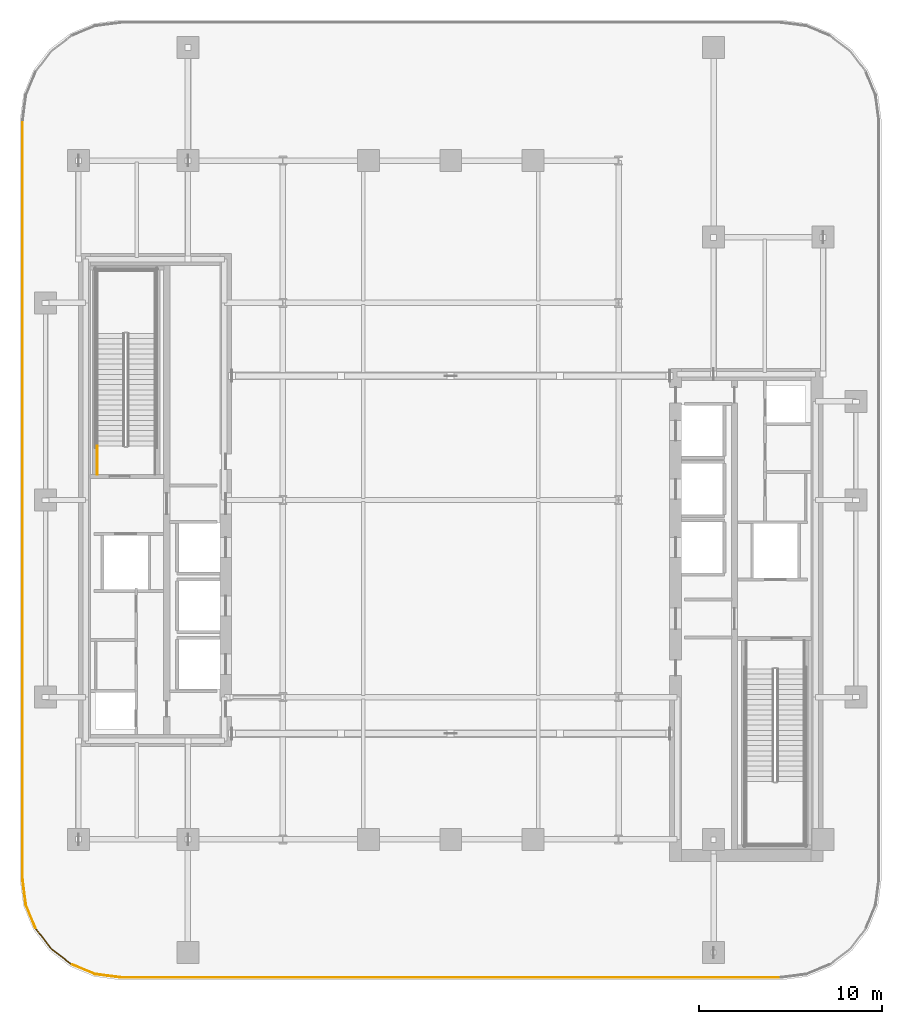
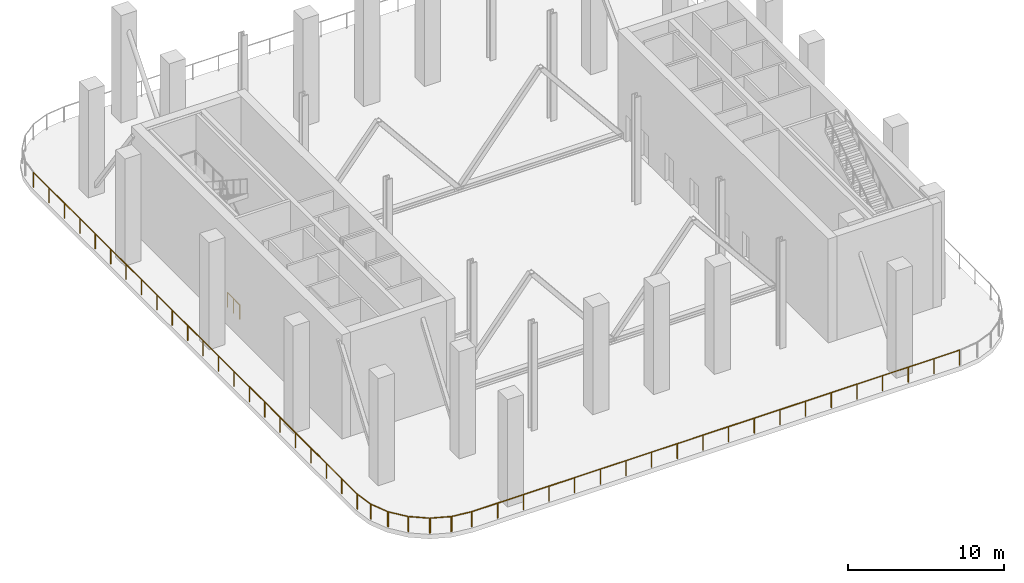
# One storey, part 8 of 13: 9 railings.
"""IFC4 building model written with IfcOpenShell, lengths in metres."""

from ifc_helpers import new_model, si_unit, direction, frame, origin, origin_2d, place, context, subcontext, project, spatial, circle, extrude, material, type_object, element, save


model = new_model("IFC4")

# Units and contexts
model_context = context("Model", 3, precision=1e-05, world=origin(), true_north=direction((0.0, 1.0)))
body_context = subcontext(model_context, "Body", "Model", "MODEL_VIEW")
ifc_project = project(units=[si_unit("LENGTHUNIT", "METRE"), si_unit("AREAUNIT", "SQUARE_METRE"), si_unit("VOLUMEUNIT", "CUBIC_METRE"), si_unit("PLANEANGLEUNIT", "RADIAN"), si_unit("MASSUNIT", "GRAM", prefix="KILO")], contexts=[model_context])

# Site, building, storey
site_placement = place(None, origin())
site = spatial("IfcSite", under=ifc_project, at=site_placement, CompositionType="ELEMENT")
building_placement = place(site_placement, origin())
building = spatial("IfcBuilding", under=site, at=building_placement, Name="Khairoan Windgate Tower", CompositionType="ELEMENT")
storey_placement = place(building_placement, frame((0.0, 0.0, 152.0)))
storey = spatial("IfcBuildingStorey", under=building, at=storey_placement, Name="L35", CompositionType="ELEMENT", Elevation=152.0)

# Railings
ifc_material_1 = material(Name="Anodised Bronze Aluminium 6063-T6", Category="aluminium")
railing_type_1 = type_object("IfcRailingType", Name="Aerodynamic Bronze-and-Glass Balustrade BAL-1200", PredefinedType="BALUSTRADE", material=ifc_material_1)
railing_1_placement = place(storey_placement, frame((18.06591796875, -26.159912109375, 0.0)))
element("IfcRailing", 1, at=railing_1_placement, inside=storey, type_object=railing_type_1, Name="L35 Wind-Slot Portal Perimeter Balustrade 01", PredefinedType="BALUSTRADE", context=body_context, shape_type="SweptSolid", body=[
    extrude(circle(Radius=0.02392578125, at=origin_2d()), frame((0.0, 0.0, 1.17578125), z_axis=(-1.0, 0.0, 0.0), x_axis=(0.0, -1.0, 0.0)), (0.0, 0.0, 1.0), 36.1318359375),
    extrude(circle(Radius=0.02099609375, at=origin_2d()), origin(), (0.0, 0.0, 1.0), 1.15185546875),
    extrude(circle(Radius=0.02099609375, at=origin_2d()), frame((-1.901611328125, 0.0, 0.0)), (0.0, 0.0, 1.0), 1.15185546875),
    extrude(circle(Radius=0.02099609375, at=origin_2d()), frame((-3.803466796875, 0.0, 0.0)), (0.0, 0.0, 1.0), 1.15185546875),
    extrude(circle(Radius=0.02099609375, at=origin_2d()), frame((-5.705078125, 0.0, 0.0)), (0.0, 0.0, 1.0), 1.15185546875),
    extrude(circle(Radius=0.02099609375, at=origin_2d()), frame((-7.606689453125, 0.0, 0.0)), (0.0, 0.0, 1.0), 1.15185546875),
    extrude(circle(Radius=0.02099609375, at=origin_2d()), frame((-9.50830078125, 0.0, 0.0)), (0.0, 0.0, 1.0), 1.15185546875),
    extrude(circle(Radius=0.02099609375, at=origin_2d()), frame((-11.41015625, 0.0, 0.0)), (0.0, 0.0, 1.0), 1.15185546875),
    extrude(circle(Radius=0.02099609375, at=origin_2d()), frame((-13.311767578125, 0.0, 0.0)), (0.0, 0.0, 1.0), 1.15185546875),
    extrude(circle(Radius=0.02099609375, at=origin_2d()), frame((-15.21337890625, 0.0, 0.0)), (0.0, 0.0, 1.0), 1.15185546875),
    extrude(circle(Radius=0.02099609375, at=origin_2d()), frame((-17.114990234375, 0.0, 0.0)), (0.0, 0.0, 1.0), 1.15185546875),
    extrude(circle(Radius=0.02099609375, at=origin_2d()), frame((-19.016845703125, 0.0, 0.0)), (0.0, 0.0, 1.0), 1.15185546875),
    extrude(circle(Radius=0.02099609375, at=origin_2d()), frame((-20.91845703125, 0.0, 0.0)), (0.0, 0.0, 1.0), 1.15185546875),
    extrude(circle(Radius=0.02099609375, at=origin_2d()), frame((-22.820068359375, 0.0, 0.0)), (0.0, 0.0, 1.0), 1.15185546875),
    extrude(circle(Radius=0.02099609375, at=origin_2d()), frame((-24.7216796875, 0.0, 0.0)), (0.0, 0.0, 1.0), 1.15185546875),
    extrude(circle(Radius=0.02099609375, at=origin_2d()), frame((-26.62353515625, 0.0, 0.0)), (0.0, 0.0, 1.0), 1.15185546875),
    extrude(circle(Radius=0.02099609375, at=origin_2d()), frame((-28.525146484375, 0.0, 0.0)), (0.0, 0.0, 1.0), 1.15185546875),
    extrude(circle(Radius=0.02099609375, at=origin_2d()), frame((-30.4267578125, 0.0, 0.0)), (0.0, 0.0, 1.0), 1.15185546875),
    extrude(circle(Radius=0.02099609375, at=origin_2d()), frame((-32.328369140625, 0.0, 0.0)), (0.0, 0.0, 1.0), 1.15185546875),
    extrude(circle(Radius=0.02099609375, at=origin_2d()), frame((-34.230224609375, 0.0, 0.0)), (0.0, 0.0, 1.0), 1.15185546875),
    extrude(circle(Radius=0.02099609375, at=origin_2d()), frame((-36.1318359375, 0.0, 0.0)), (0.0, 0.0, 1.0), 1.15185546875),
])
railing_2_placement = place(storey_placement, frame((-18.115478515625, -26.15673828125, 0.0)))
element("IfcRailing", 2, at=railing_2_placement, inside=storey, type_object=railing_type_1, Name="L35 Wind-Slot Portal Perimeter Balustrade 02", PredefinedType="BALUSTRADE", context=body_context, shape_type="SweptSolid", body=[
    extrude(circle(Radius=0.02392578125, at=origin_2d()), frame((0.0, 0.0, 1.17578125), z_axis=(-0.991449400613, 0.130491708638, 0.0), x_axis=(-0.130491708638, -0.991449400613, 0.0)), (0.0, 0.0, 1.0), 1.3583984375),
    extrude(circle(Radius=0.02099609375, at=origin_2d()), origin(), (0.0, 0.0, 1.0), 1.15185546875),
    extrude(circle(Radius=0.02099609375, at=origin_2d()), frame((-1.3466796875, 0.17724609375, 0.0)), (0.0, 0.0, 1.0), 1.15185546875),
])
railing_3_placement = place(storey_placement, frame((-19.510009765625, -25.966552734375, 0.0)))
element("IfcRailing", 3, at=railing_3_placement, inside=storey, type_object=railing_type_1, Name="L35 Wind-Slot Portal Perimeter Balustrade 03", PredefinedType="BALUSTRADE", context=body_context, shape_type="SweptSolid", body=[
    extrude(circle(Radius=0.02392578125, at=origin_2d()), frame((0.0, 0.0, 1.17578125), z_axis=(-0.923915376249, 0.382596886462, 0.0), x_axis=(-0.382596886462, -0.923915376249, 0.0)), (0.0, 0.0, 1.0), 1.348876953125),
    extrude(circle(Radius=0.02099609375, at=origin_2d()), origin(), (0.0, 0.0, 1.0), 1.15185546875),
    extrude(circle(Radius=0.02099609375, at=origin_2d()), frame((-1.246337890625, 0.51611328125, 0.0)), (0.0, 0.0, 1.0), 1.15185546875),
])
railing_4_placement = place(storey_placement, frame((-20.79931640625, -25.425537109375, 0.0)))
element("IfcRailing", 4, at=railing_4_placement, inside=storey, type_object=railing_type_1, Name="L35 Wind-Slot Portal Perimeter Balustrade 04", PredefinedType="BALUSTRADE", context=body_context, shape_type="SweptSolid", body=[
    extrude(circle(Radius=0.02392578125, at=origin_2d()), frame((0.0, 0.0, 1.17578125), z_axis=(-0.793370316216, 0.608739304914, 0.0), x_axis=(-0.608739304914, -0.793370316216, 0.0)), (0.0, 0.0, 1.0), 1.348876953125),
    extrude(circle(Radius=0.02099609375, at=origin_2d()), origin(), (0.0, 0.0, 1.0), 1.15185546875),
    extrude(circle(Radius=0.02099609375, at=origin_2d()), frame((-1.070068359375, 0.821044921875, 0.0)), (0.0, 0.0, 1.0), 1.15185546875),
])
railing_5_placement = place(storey_placement, frame((-21.904541015625, -24.569580078125, 0.0)))
element("IfcRailing", 5, at=railing_5_placement, inside=storey, type_object=railing_type_1, Name="L35 Wind-Slot Portal Perimeter Balustrade 05", PredefinedType="BALUSTRADE", context=body_context, shape_type="SweptSolid", body=[
    extrude(circle(Radius=0.02392578125, at=origin_2d()), frame((0.0, 0.0, 1.17578125), z_axis=(-0.608651893578, 0.793437377771, 0.0), x_axis=(-0.793437377771, -0.608651893578, 0.0)), (0.0, 0.0, 1.0), 1.348876953125),
    extrude(circle(Radius=0.02099609375, at=origin_2d()), origin(), (0.0, 0.0, 1.0), 1.15185546875),
    extrude(circle(Radius=0.02099609375, at=origin_2d()), frame((-0.821044921875, 1.0703125, 0.0)), (0.0, 0.0, 1.0), 1.15185546875),
])
railing_6_placement = place(storey_placement, frame((-22.75048828125, -23.456298828125, 0.0)))
element("IfcRailing", 6, at=railing_6_placement, inside=storey, type_object=railing_type_1, Name="L35 Wind-Slot Portal Perimeter Balustrade 06", PredefinedType="BALUSTRADE", context=body_context, shape_type="SweptSolid", body=[
    extrude(circle(Radius=0.02392578125, at=origin_2d()), frame((0.0, 0.0, 1.17578125), z_axis=(-0.382660871212, 0.923888877324, 0.0), x_axis=(-0.923888877324, -0.382660871212, 0.0)), (0.0, 0.0, 1.0), 1.3486328125),
    extrude(circle(Radius=0.02099609375, at=origin_2d()), origin(), (0.0, 0.0, 1.0), 1.15185546875),
    extrude(circle(Radius=0.02099609375, at=origin_2d()), frame((-0.51611328125, 1.24609375, 0.0)), (0.0, 0.0, 1.0), 1.15185546875),
])
railing_7_placement = place(storey_placement, frame((-23.279541015625, -22.162109375, 0.0)))
element("IfcRailing", 7, at=railing_7_placement, inside=storey, type_object=railing_type_1, Name="L35 Wind-Slot Portal Perimeter Balustrade 07", PredefinedType="BALUSTRADE", context=body_context, shape_type="SweptSolid", body=[
    extrude(circle(Radius=0.02392578125, at=origin_2d()), frame((0.0, 0.0, 1.17578125), z_axis=(-0.130514966859, 0.991446339156, 0.0), x_axis=(-0.991446339156, -0.130514966859, 0.0)), (0.0, 0.0, 1.0), 1.358154296875),
    extrude(circle(Radius=0.02099609375, at=origin_2d()), origin(), (0.0, 0.0, 1.0), 1.15185546875),
    extrude(circle(Radius=0.02099609375, at=origin_2d()), frame((-0.17724609375, 1.346435546875, 0.0)), (0.0, 0.0, 1.0), 1.15185546875),
])
railing_8_placement = place(storey_placement, frame((-23.4599609375, -20.765869140625, 0.0)))
element("IfcRailing", 8, at=railing_8_placement, inside=storey, type_object=railing_type_1, Name="L35 Wind-Slot Portal Perimeter Balustrade 08", PredefinedType="BALUSTRADE", context=body_context, shape_type="SweptSolid", body=[
    extrude(circle(Radius=0.02392578125, at=origin_2d()), frame((0.0, 0.0, 1.17578125), z_axis=(0.0, 1.0, 0.0), x_axis=(-1.0, 0.0, 0.0)), (0.0, 0.0, 1.0), 41.53173828125),
    extrude(circle(Radius=0.02099609375, at=origin_2d()), origin(), (0.0, 0.0, 1.0), 1.15185546875),
    extrude(circle(Radius=0.02099609375, at=origin_2d()), frame((0.0, 1.977783203125, 0.0)), (0.0, 0.0, 1.0), 1.15185546875),
    extrude(circle(Radius=0.02099609375, at=origin_2d()), frame((0.0, 3.955322265625, 0.0)), (0.0, 0.0, 1.0), 1.15185546875),
    extrude(circle(Radius=0.02099609375, at=origin_2d()), frame((0.0, 5.93310546875, 0.0)), (0.0, 0.0, 1.0), 1.15185546875),
    extrude(circle(Radius=0.02099609375, at=origin_2d()), frame((0.0, 7.910888671875, 0.0)), (0.0, 0.0, 1.0), 1.15185546875),
    extrude(circle(Radius=0.02099609375, at=origin_2d()), frame((0.0, 9.888427734375, 0.0)), (0.0, 0.0, 1.0), 1.15185546875),
    extrude(circle(Radius=0.02099609375, at=origin_2d()), frame((0.0, 11.8662109375, 0.0)), (0.0, 0.0, 1.0), 1.15185546875),
    extrude(circle(Radius=0.02099609375, at=origin_2d()), frame((0.0, 13.843994140625, 0.0)), (0.0, 0.0, 1.0), 1.15185546875),
    extrude(circle(Radius=0.02099609375, at=origin_2d()), frame((0.0, 15.821533203125, 0.0)), (0.0, 0.0, 1.0), 1.15185546875),
    extrude(circle(Radius=0.02099609375, at=origin_2d()), frame((0.0, 17.79931640625, 0.0)), (0.0, 0.0, 1.0), 1.15185546875),
    extrude(circle(Radius=0.02099609375, at=origin_2d()), frame((0.0, 19.777099609375, 0.0)), (0.0, 0.0, 1.0), 1.15185546875),
    extrude(circle(Radius=0.02099609375, at=origin_2d()), frame((0.0, 21.754638671875, 0.0)), (0.0, 0.0, 1.0), 1.15185546875),
    extrude(circle(Radius=0.02099609375, at=origin_2d()), frame((0.0, 23.732421875, 0.0)), (0.0, 0.0, 1.0), 1.15185546875),
    extrude(circle(Radius=0.02099609375, at=origin_2d()), frame((0.0, 25.710205078125, 0.0)), (0.0, 0.0, 1.0), 1.15185546875),
    extrude(circle(Radius=0.02099609375, at=origin_2d()), frame((0.0, 27.687744140625, 0.0)), (0.0, 0.0, 1.0), 1.15185546875),
    extrude(circle(Radius=0.02099609375, at=origin_2d()), frame((0.0, 29.66552734375, 0.0)), (0.0, 0.0, 1.0), 1.15185546875),
    extrude(circle(Radius=0.02099609375, at=origin_2d()), frame((0.0, 31.643310546875, 0.0)), (0.0, 0.0, 1.0), 1.15185546875),
    extrude(circle(Radius=0.02099609375, at=origin_2d()), frame((0.0, 33.620849609375, 0.0)), (0.0, 0.0, 1.0), 1.15185546875),
    extrude(circle(Radius=0.02099609375, at=origin_2d()), frame((0.0, 35.5986328125, 0.0)), (0.0, 0.0, 1.0), 1.15185546875),
    extrude(circle(Radius=0.02099609375, at=origin_2d()), frame((0.0, 37.576416015625, 0.0)), (0.0, 0.0, 1.0), 1.15185546875),
    extrude(circle(Radius=0.02099609375, at=origin_2d()), frame((0.0, 39.553955078125, 0.0)), (0.0, 0.0, 1.0), 1.15185546875),
    extrude(circle(Radius=0.02099609375, at=origin_2d()), frame((0.0, 41.53173828125, 0.0)), (0.0, 0.0, 1.0), 1.15185546875),
])
ifc_material_2 = material(Name="Steel S355", Category="steel")
railing_type_2 = type_object("IfcRailingType", Name="Stairwell Safety Guardrail SGR-1150", PredefinedType="GUARDRAIL", material=ifc_material_2)
railing_9_placement = place(storey_placement, frame((-19.3701171875, 1.39990234375, 0.0)))
element("IfcRailing", 9, at=railing_9_placement, inside=storey, type_object=railing_type_2, Name="L35 ST2 stair guard 9", PredefinedType="GUARDRAIL", context=body_context, shape_type="SweptSolid", body=[
    extrude(circle(Radius=0.02392578125, at=origin_2d()), frame((0.0, 0.0, 1.1259765625), z_axis=(0.0, 1.0, 0.0), x_axis=(-1.0, 0.0, 0.0)), (0.0, 0.0, 1.0), 1.56005859375),
    extrude(circle(Radius=0.02099609375, at=origin_2d()), origin(), (0.0, 0.0, 1.0), 1.101806640625),
    extrude(circle(Radius=0.02099609375, at=origin_2d()), frame((0.0, 0.780029296875, 0.0)), (0.0, 0.0, 1.0), 1.101806640625),
    extrude(circle(Radius=0.02099609375, at=origin_2d()), frame((0.0, 1.56005859375, 0.0)), (0.0, 0.0, 1.0), 1.101806640625),
])

save(model, "model.ifc")
